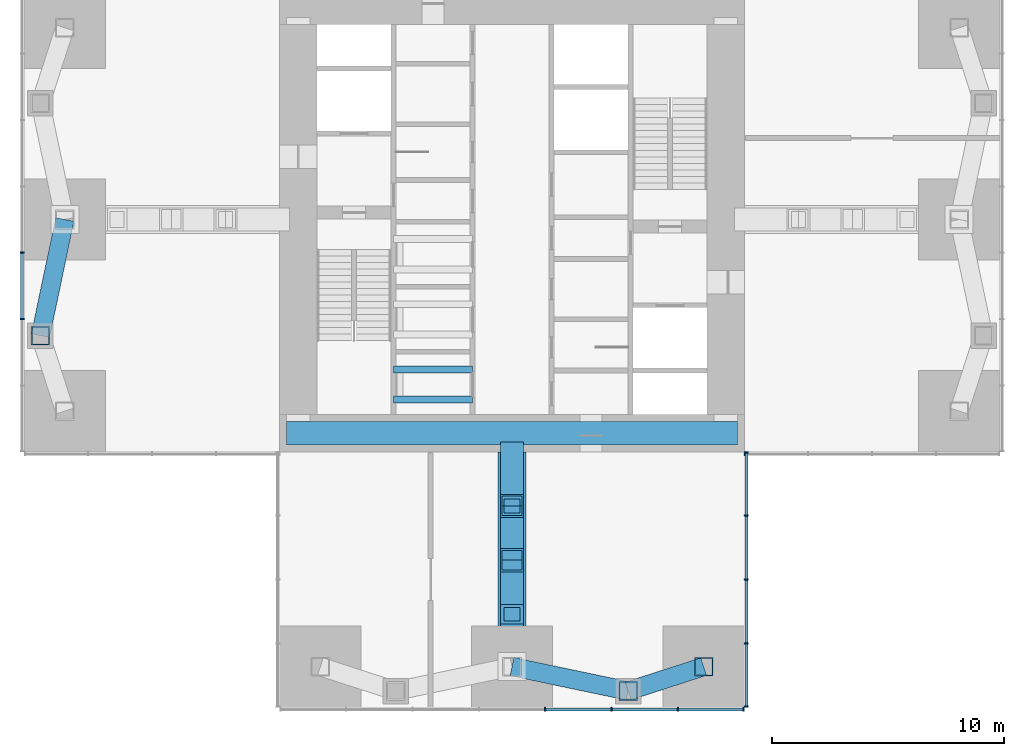
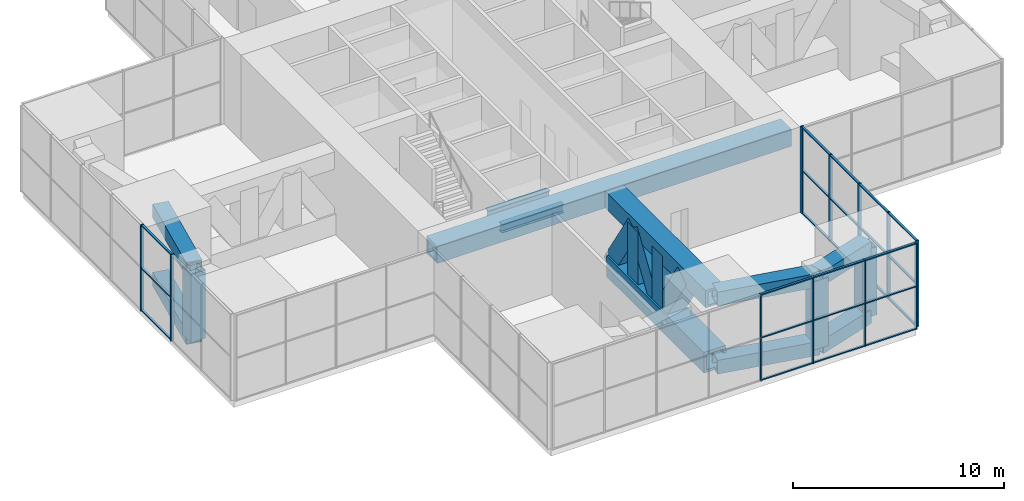
# One storey, part 3 of 12: 53 members, 2 beams, 4 elements without a shape of their own.
"""IFC4 building model written with IfcOpenShell, lengths in metres."""

from ifc_helpers import new_model, si_unit, direction, frame, origin, origin_2d, place, context, subcontext, project, spatial, rectangle, hollow_rectangle, i_section, extrude, material, material_profile, profile_set, type_object, element, aggregate, save


model = new_model("IFC4")

# Units and contexts
model_context = context("Model", 3, precision=1e-05, world=origin(), true_north=direction((0.0, 1.0)))
body_context = subcontext(model_context, "Body", "Model", "MODEL_VIEW")
ifc_project = project(units=[si_unit("LENGTHUNIT", "METRE"), si_unit("AREAUNIT", "SQUARE_METRE"), si_unit("VOLUMEUNIT", "CUBIC_METRE"), si_unit("PLANEANGLEUNIT", "RADIAN"), si_unit("MASSUNIT", "GRAM", prefix="KILO")], contexts=[model_context])

# Site, building, storey
site_placement = place(None, origin())
site = spatial("IfcSite", under=ifc_project, at=site_placement, CompositionType="ELEMENT")
building_placement = place(site_placement, origin())
building = spatial("IfcBuilding", under=site, at=building_placement, Name="Svetlomir Tower", CompositionType="ELEMENT")
storey_placement = place(building_placement, frame((0.0, 0.0, 160.5)))
storey = spatial("IfcBuildingStorey", under=building, at=storey_placement, Name="L38", CompositionType="ELEMENT", Elevation=160.5)

# Members
ifc_material_1 = material(Name="Steel S355", Category="steel")
ifc_material_profile_1 = material_profile(ifc_material_1, hollow_rectangle(XDim=0.800048828125, YDim=0.800048828125, WallThickness=0.050048828125, at=origin_2d()), Name="BOX 800x800x50")
ifc_profile_set_1 = profile_set([ifc_material_profile_1], Name="Steel S355")
member_type_1 = type_object("IfcMemberType", Name="BELT FRAME CHORD BOX 800x800x50", PredefinedType="CHORD", material=ifc_profile_set_1)
for number, where, z_axis, x_axis, name in (
    (1, (21.0, 1.75, 0.39990234375), (0.978651574329, -0.205526387753, 0.0), (0.205526387753, 0.978651574329, 0.0), "Belt frame S L38 bottom chord 3"),
    (2, (21.0, 1.75, 4.35009765625), (0.978651574329, -0.205526387753, 0.0), (0.205526387753, 0.978651574329, 0.0), "Belt frame S L38 top chord 3"),
):
    element("IfcMember", number, at=place(storey_placement, frame(where, z_axis=z_axis, x_axis=x_axis)), inside=storey, type_object=member_type_1, Name=name, PredefinedType="CHORD", context=body_context, shape_type="SweptSolid", body=[
        extrude(hollow_rectangle(XDim=0.800048828125, YDim=0.800048828125, WallThickness=0.050048828125, at=origin_2d()), origin(), (0.0, 0.0, 1.0), 5.109130859375),
    ])
for number, where, z_axis, x_axis, name in (
    (3, (26.0, 0.699951171875, 0.39990234375), (0.951566360503, 0.307443428225, 0.0), (-0.307443428225, 0.951566360503, 0.0), "Belt frame S L38 bottom chord 4"),
    (4, (26.0, 0.699951171875, 4.35009765625), (0.951566360503, 0.307443428225, 0.0), (-0.307443428225, 0.951566360503, 0.0), "Belt frame S L38 top chord 4"),
):
    element("IfcMember", number, at=place(storey_placement, frame(where, z_axis=z_axis, x_axis=x_axis)), inside=storey, type_object=member_type_1, Name=name, PredefinedType="CHORD", context=body_context, shape_type="SweptSolid", body=[
        extrude(hollow_rectangle(XDim=0.800048828125, YDim=0.800048828125, WallThickness=0.050048828125, at=origin_2d()), origin(), (0.0, 0.0, 1.0), 3.41552734375),
    ])
for number, where, z_axis, x_axis, name in (
    (5, (0.699951171875, 16.0, 0.39990234375), (0.205526387753, 0.978651574329, 0.0), (-0.978651574329, 0.205526387753, 0.0), "Belt frame W L38 bottom chord 2"),
    (6, (0.699951171875, 16.0, 4.35009765625), (0.205526387753, 0.978651574329, 0.0), (-0.978651574329, 0.205526387753, 0.0), "Belt frame W L38 top chord 2"),
):
    element("IfcMember", number, at=place(storey_placement, frame(where, z_axis=z_axis, x_axis=x_axis)), inside=storey, type_object=member_type_1, Name=name, PredefinedType="CHORD", context=body_context, shape_type="SweptSolid", body=[
        extrude(hollow_rectangle(XDim=0.800048828125, YDim=0.800048828125, WallThickness=0.050048828125, at=origin_2d()), origin(), (0.0, 0.0, 1.0), 5.109130859375),
    ])
ifc_material_2 = material(Name="Steel S355", Category="steel")
ifc_material_profile_2 = material_profile(ifc_material_2, hollow_rectangle(XDim=0.800048828125, YDim=0.800048828125, WallThickness=0.050048828125, at=origin_2d()), Name="BOX 800x800x50")
ifc_profile_set_2 = profile_set([ifc_material_profile_2], Name="Steel S355")
member_type_2 = type_object("IfcMemberType", Name="BELT FRAME POST BOX 800x800x50", PredefinedType="POST", material=ifc_profile_set_2)
for number, where, z_axis, x_axis, name in (
    (7, (26.0, 0.699951171875, 0.39990234375), (0.0, 0.0, 1.0), (1.0, 0.0, 0.0), "Belt frame S L38 post 4"),
    (8, (29.25, 1.75, 0.39990234375), (0.0, 0.0, 1.0), (1.0, 0.0, 0.0), "Belt frame S L38 post 5"),
    (9, (0.699951171875, 16.0, 0.39990234375), (0.0, 0.0, 1.0), (1.0, 0.0, 0.0), "Belt frame W L38 post 2"),
):
    element("IfcMember", number, at=place(storey_placement, frame(where, z_axis=z_axis, x_axis=x_axis)), inside=storey, type_object=member_type_2, Name=name, PredefinedType="POST", context=body_context, shape_type="SweptSolid", body=[
        extrude(hollow_rectangle(XDim=0.800048828125, YDim=0.800048828125, WallThickness=0.050048828125, at=origin_2d()), origin(), (0.0, 0.0, 1.0), 3.9501953125),
    ])

# Curtain wall, members
ifc_material_3 = material(Name="Bronze anodised aluminium curtain wall", Category="aluminium")
curtain_wall_type = type_object("IfcCurtainWallType", Name="CURTAIN WALL CW3 PLANT LOUVRE", PredefinedType="NOTDEFINED", material=ifc_material_3)
curtain_wall_1_placement = place(storey_placement, origin())
curtain_wall_1 = element("IfcCurtainWall", 10, at=curtain_wall_1_placement, inside=storey, type_object=curtain_wall_type, Name="Curtain wall CW3 L38", PredefinedType="NOTDEFINED")
ifc_material_4 = material(Name="Bronze anodised aluminium", Category="aluminium")
ifc_material_profile_3 = material_profile(ifc_material_4, rectangle(XDim=0.06494140625, YDim=0.179931640625, at=origin_2d()), Name="AL 65x180")
ifc_profile_set_3 = profile_set([ifc_material_profile_3], Name="Bronze anodised aluminium 6063-T6")
member_type_3 = type_object("IfcMemberType", Name="CW3 MULLION 65x180", PredefinedType="MULLION", material=ifc_profile_set_3)
member_1_placement = place(storey_placement, frame((22.428466796875, -0.090087890625, 0.0), z_axis=(0.0, 0.0, 1.0), x_axis=(1.0, 0.0, 0.0)))
member_1 = element("IfcMember", 11, at=member_1_placement, type_object=member_type_3, Name="CW3 mullion 5", PredefinedType="MULLION", context=body_context, shape_type="SweptSolid", body=[
    extrude(rectangle(XDim=0.06494140625, YDim=0.179931640625, at=origin_2d()), origin(), (0.0, 0.0, 1.0), 5.0),
])
member_2_placement = place(storey_placement, frame((25.28564453125, -0.090087890625, 0.0), z_axis=(0.0, 0.0, 1.0), x_axis=(1.0, 0.0, 0.0)))
member_2 = element("IfcMember", 12, at=member_2_placement, type_object=member_type_3, Name="CW3 mullion 6", PredefinedType="MULLION", context=body_context, shape_type="SweptSolid", body=[
    extrude(rectangle(XDim=0.06494140625, YDim=0.179931640625, at=origin_2d()), origin(), (0.0, 0.0, 1.0), 5.0),
])
member_3_placement = place(storey_placement, frame((28.142822265625, -0.090087890625, 0.0), z_axis=(0.0, 0.0, 1.0), x_axis=(1.0, 0.0, 0.0)))
member_3 = element("IfcMember", 13, at=member_3_placement, type_object=member_type_3, Name="CW3 mullion 7", PredefinedType="MULLION", context=body_context, shape_type="SweptSolid", body=[
    extrude(rectangle(XDim=0.06494140625, YDim=0.179931640625, at=origin_2d()), origin(), (0.0, 0.0, 1.0), 5.0),
])
member_4_placement = place(storey_placement, frame((30.967529296875, -0.090087890625, 0.0), z_axis=(0.0, 0.0, 1.0), x_axis=(1.0, 0.0, 0.0)))
member_4 = element("IfcMember", 14, at=member_4_placement, type_object=member_type_3, Name="CW3 mullion 8", PredefinedType="MULLION", context=body_context, shape_type="SweptSolid", body=[
    extrude(rectangle(XDim=0.06494140625, YDim=0.179931640625, at=origin_2d()), origin(), (0.0, 0.0, 1.0), 5.0),
])

curtain_wall_2_placement = place(storey_placement, origin())
curtain_wall_2 = element("IfcCurtainWall", 15, at=curtain_wall_2_placement, inside=storey, type_object=curtain_wall_type, Name="Curtain wall CW3 L38", PredefinedType="NOTDEFINED")
member_5_placement = place(storey_placement, frame((31.090087890625, 0.032470703125, 0.0), z_axis=(0.0, 0.0, 1.0), x_axis=(0.0, 1.0, 0.0)))
member_5 = element("IfcMember", 16, at=member_5_placement, type_object=member_type_3, Name="CW3 mullion 1", PredefinedType="MULLION", context=body_context, shape_type="SweptSolid", body=[
    extrude(rectangle(XDim=0.06494140625, YDim=0.179931640625, at=origin_2d()), origin(), (0.0, 0.0, 1.0), 5.0),
])
member_6_placement = place(storey_placement, frame((31.090087890625, 2.75, 0.0), z_axis=(0.0, 0.0, 1.0), x_axis=(0.0, 1.0, 0.0)))
member_6 = element("IfcMember", 17, at=member_6_placement, type_object=member_type_3, Name="CW3 mullion 2", PredefinedType="MULLION", context=body_context, shape_type="SweptSolid", body=[
    extrude(rectangle(XDim=0.06494140625, YDim=0.179931640625, at=origin_2d()), origin(), (0.0, 0.0, 1.0), 5.0),
])
member_7_placement = place(storey_placement, frame((31.090087890625, 5.5, 0.0), z_axis=(0.0, 0.0, 1.0), x_axis=(0.0, 1.0, 0.0)))
member_7 = element("IfcMember", 18, at=member_7_placement, type_object=member_type_3, Name="CW3 mullion 3", PredefinedType="MULLION", context=body_context, shape_type="SweptSolid", body=[
    extrude(rectangle(XDim=0.06494140625, YDim=0.179931640625, at=origin_2d()), origin(), (0.0, 0.0, 1.0), 5.0),
])
member_8_placement = place(storey_placement, frame((31.090087890625, 8.25, 0.0), z_axis=(0.0, 0.0, 1.0), x_axis=(0.0, 1.0, 0.0)))
member_8 = element("IfcMember", 19, at=member_8_placement, type_object=member_type_3, Name="CW3 mullion 4", PredefinedType="MULLION", context=body_context, shape_type="SweptSolid", body=[
    extrude(rectangle(XDim=0.06494140625, YDim=0.179931640625, at=origin_2d()), origin(), (0.0, 0.0, 1.0), 5.0),
])
member_9_placement = place(storey_placement, frame((31.090087890625, 10.967529296875, 0.0), z_axis=(0.0, 0.0, 1.0), x_axis=(0.0, 1.0, 0.0)))
member_9 = element("IfcMember", 20, at=member_9_placement, type_object=member_type_3, Name="CW3 mullion 5", PredefinedType="MULLION", context=body_context, shape_type="SweptSolid", body=[
    extrude(rectangle(XDim=0.06494140625, YDim=0.179931640625, at=origin_2d()), origin(), (0.0, 0.0, 1.0), 5.0),
])

# Curtain wall, member
curtain_wall_3_placement = place(storey_placement, origin())
curtain_wall_3 = element("IfcCurtainWall", 21, at=curtain_wall_3_placement, inside=storey, type_object=curtain_wall_type, Name="Curtain wall CW3 L38", PredefinedType="NOTDEFINED")
member_10_placement = place(storey_placement, frame((31.032470703125, 10.909912109375, 0.0), z_axis=(0.0, 0.0, 1.0), x_axis=(1.0, 0.0, 0.0)))
member_10 = element("IfcMember", 22, at=member_10_placement, type_object=member_type_3, Name="CW3 mullion 1", PredefinedType="MULLION", context=body_context, shape_type="SweptSolid", body=[
    extrude(rectangle(XDim=0.06494140625, YDim=0.179931640625, at=origin_2d()), origin(), (0.0, 0.0, 1.0), 5.0),
])
aggregate(curtain_wall_3, [member_10])

# Curtain wall, members
curtain_wall_4_placement = place(storey_placement, origin())
curtain_wall_4 = element("IfcCurtainWall", 23, at=curtain_wall_4_placement, inside=storey, type_object=curtain_wall_type, Name="Curtain wall CW3 L38", PredefinedType="NOTDEFINED")
member_11_placement = place(storey_placement, frame((-0.090087890625, 19.571533203125, 0.0), z_axis=(0.0, 0.0, 1.0), x_axis=(0.0, -1.0, 0.0)))
member_11 = element("IfcMember", 24, at=member_11_placement, type_object=member_type_3, Name="CW3 mullion 5", PredefinedType="MULLION", context=body_context, shape_type="SweptSolid", body=[
    extrude(rectangle(XDim=0.06494140625, YDim=0.179931640625, at=origin_2d()), origin(), (0.0, 0.0, 1.0), 5.0),
])
member_12_placement = place(storey_placement, frame((-0.090087890625, 16.71435546875, 0.0), z_axis=(0.0, 0.0, 1.0), x_axis=(0.0, -1.0, 0.0)))
member_12 = element("IfcMember", 25, at=member_12_placement, type_object=member_type_3, Name="CW3 mullion 6", PredefinedType="MULLION", context=body_context, shape_type="SweptSolid", body=[
    extrude(rectangle(XDim=0.06494140625, YDim=0.179931640625, at=origin_2d()), origin(), (0.0, 0.0, 1.0), 5.0),
])

# Member
ifc_material_5 = material(Name="Bronze anodised aluminium", Category="aluminium")
ifc_material_profile_4 = material_profile(ifc_material_5, rectangle(XDim=0.1201171875, YDim=0.06494140625, at=origin_2d()), Name="AL 120x65")
ifc_profile_set_4 = profile_set([ifc_material_profile_4], Name="Bronze anodised aluminium 6063-T6")
member_type_4 = type_object("IfcMemberType", Name="CW3 TRANSOM 65x120", PredefinedType="USERDEFINED", material=ifc_profile_set_4)
member_13_placement = place(storey_placement, frame((22.461181640625, -0.090087890625, 0.032470703125), z_axis=(1.0, 0.0, 0.0), x_axis=(0.0, 1.0, 0.0)))
member_13 = element("IfcMember", 26, at=member_13_placement, type_object=member_type_4, Name="CW3 transom 5.1", ObjectType="TRANSOM", PredefinedType="USERDEFINED", context=body_context, shape_type="SweptSolid", body=[
    extrude(rectangle(XDim=0.1201171875, YDim=0.06494140625, at=origin_2d()), origin(), (0.0, 0.0, 1.0), 2.7919921875),
])

member_14_placement = place(storey_placement, frame((22.461181640625, -0.090087890625, 2.483642578125), z_axis=(1.0, 0.0, 0.0), x_axis=(0.0, 1.0, 0.0)))
member_14 = element("IfcMember", 27, at=member_14_placement, type_object=member_type_4, Name="CW3 transom 5.2", ObjectType="TRANSOM", PredefinedType="USERDEFINED", context=body_context, shape_type="SweptSolid", body=[
    extrude(rectangle(XDim=0.1201171875, YDim=0.06494140625, at=origin_2d()), origin(), (0.0, 0.0, 1.0), 2.7919921875),
])

member_15_placement = place(storey_placement, frame((22.461181640625, -0.090087890625, 4.967529296875), z_axis=(1.0, 0.0, 0.0), x_axis=(0.0, 1.0, 0.0)))
member_15 = element("IfcMember", 28, at=member_15_placement, type_object=member_type_4, Name="CW3 transom 5.3", ObjectType="TRANSOM", PredefinedType="USERDEFINED", context=body_context, shape_type="SweptSolid", body=[
    extrude(rectangle(XDim=0.1201171875, YDim=0.06494140625, at=origin_2d()), origin(), (0.0, 0.0, 1.0), 2.7919921875),
])

member_16_placement = place(storey_placement, frame((25.318115234375, -0.090087890625, 0.032470703125), z_axis=(1.0, 0.0, 0.0), x_axis=(0.0, 1.0, 0.0)))
member_16 = element("IfcMember", 29, at=member_16_placement, type_object=member_type_4, Name="CW3 transom 6.1", ObjectType="TRANSOM", PredefinedType="USERDEFINED", context=body_context, shape_type="SweptSolid", body=[
    extrude(rectangle(XDim=0.1201171875, YDim=0.06494140625, at=origin_2d()), origin(), (0.0, 0.0, 1.0), 2.792236328125),
])

member_17_placement = place(storey_placement, frame((25.318115234375, -0.090087890625, 2.483642578125), z_axis=(1.0, 0.0, 0.0), x_axis=(0.0, 1.0, 0.0)))
member_17 = element("IfcMember", 30, at=member_17_placement, type_object=member_type_4, Name="CW3 transom 6.2", ObjectType="TRANSOM", PredefinedType="USERDEFINED", context=body_context, shape_type="SweptSolid", body=[
    extrude(rectangle(XDim=0.1201171875, YDim=0.06494140625, at=origin_2d()), origin(), (0.0, 0.0, 1.0), 2.792236328125),
])

member_18_placement = place(storey_placement, frame((25.318115234375, -0.090087890625, 4.967529296875), z_axis=(1.0, 0.0, 0.0), x_axis=(0.0, 1.0, 0.0)))
member_18 = element("IfcMember", 31, at=member_18_placement, type_object=member_type_4, Name="CW3 transom 6.3", ObjectType="TRANSOM", PredefinedType="USERDEFINED", context=body_context, shape_type="SweptSolid", body=[
    extrude(rectangle(XDim=0.1201171875, YDim=0.06494140625, at=origin_2d()), origin(), (0.0, 0.0, 1.0), 2.792236328125),
])

member_19_placement = place(storey_placement, frame((28.17529296875, -0.090087890625, 0.032470703125), z_axis=(1.0, 0.0, 0.0), x_axis=(0.0, 1.0, 0.0)))
member_19 = element("IfcMember", 32, at=member_19_placement, type_object=member_type_4, Name="CW3 transom 7.1", ObjectType="TRANSOM", PredefinedType="USERDEFINED", context=body_context, shape_type="SweptSolid", body=[
    extrude(rectangle(XDim=0.1201171875, YDim=0.06494140625, at=origin_2d()), origin(), (0.0, 0.0, 1.0), 2.759765625),
])

member_20_placement = place(storey_placement, frame((28.17529296875, -0.090087890625, 2.483642578125), z_axis=(1.0, 0.0, 0.0), x_axis=(0.0, 1.0, 0.0)))
member_20 = element("IfcMember", 33, at=member_20_placement, type_object=member_type_4, Name="CW3 transom 7.2", ObjectType="TRANSOM", PredefinedType="USERDEFINED", context=body_context, shape_type="SweptSolid", body=[
    extrude(rectangle(XDim=0.1201171875, YDim=0.06494140625, at=origin_2d()), origin(), (0.0, 0.0, 1.0), 2.759765625),
])

member_21_placement = place(storey_placement, frame((28.17529296875, -0.090087890625, 4.967529296875), z_axis=(1.0, 0.0, 0.0), x_axis=(0.0, 1.0, 0.0)))
member_21 = element("IfcMember", 34, at=member_21_placement, type_object=member_type_4, Name="CW3 transom 7.3", ObjectType="TRANSOM", PredefinedType="USERDEFINED", context=body_context, shape_type="SweptSolid", body=[
    extrude(rectangle(XDim=0.1201171875, YDim=0.06494140625, at=origin_2d()), origin(), (0.0, 0.0, 1.0), 2.759765625),
])

aggregate(curtain_wall_1, [member_1, member_2, member_3, member_4, member_13, member_14, member_15, member_16, member_17, member_18, member_19, member_20, member_21])

member_22_placement = place(storey_placement, frame((31.090087890625, 0.06494140625, 0.032470703125), z_axis=(0.0, 1.0, 0.0), x_axis=(-1.0, 0.0, 0.0)))
member_22 = element("IfcMember", 35, at=member_22_placement, type_object=member_type_4, Name="CW3 transom 1.1", ObjectType="TRANSOM", PredefinedType="USERDEFINED", context=body_context, shape_type="SweptSolid", body=[
    extrude(rectangle(XDim=0.1201171875, YDim=0.06494140625, at=origin_2d()), origin(), (0.0, 0.0, 1.0), 2.652587890625),
])

member_23_placement = place(storey_placement, frame((31.090087890625, 0.06494140625, 2.483642578125), z_axis=(0.0, 1.0, 0.0), x_axis=(-1.0, 0.0, 0.0)))
member_23 = element("IfcMember", 36, at=member_23_placement, type_object=member_type_4, Name="CW3 transom 1.2", ObjectType="TRANSOM", PredefinedType="USERDEFINED", context=body_context, shape_type="SweptSolid", body=[
    extrude(rectangle(XDim=0.1201171875, YDim=0.06494140625, at=origin_2d()), origin(), (0.0, 0.0, 1.0), 2.652587890625),
])

member_24_placement = place(storey_placement, frame((31.090087890625, 0.06494140625, 4.967529296875), z_axis=(0.0, 1.0, 0.0), x_axis=(-1.0, 0.0, 0.0)))
member_24 = element("IfcMember", 37, at=member_24_placement, type_object=member_type_4, Name="CW3 transom 1.3", ObjectType="TRANSOM", PredefinedType="USERDEFINED", context=body_context, shape_type="SweptSolid", body=[
    extrude(rectangle(XDim=0.1201171875, YDim=0.06494140625, at=origin_2d()), origin(), (0.0, 0.0, 1.0), 2.652587890625),
])

member_25_placement = place(storey_placement, frame((31.090087890625, 2.782470703125, 0.032470703125), z_axis=(0.0, 1.0, 0.0), x_axis=(-1.0, 0.0, 0.0)))
member_25 = element("IfcMember", 38, at=member_25_placement, type_object=member_type_4, Name="CW3 transom 2.1", ObjectType="TRANSOM", PredefinedType="USERDEFINED", context=body_context, shape_type="SweptSolid", body=[
    extrude(rectangle(XDim=0.1201171875, YDim=0.06494140625, at=origin_2d()), origin(), (0.0, 0.0, 1.0), 2.68505859375),
])

member_26_placement = place(storey_placement, frame((31.090087890625, 2.782470703125, 2.483642578125), z_axis=(0.0, 1.0, 0.0), x_axis=(-1.0, 0.0, 0.0)))
member_26 = element("IfcMember", 39, at=member_26_placement, type_object=member_type_4, Name="CW3 transom 2.2", ObjectType="TRANSOM", PredefinedType="USERDEFINED", context=body_context, shape_type="SweptSolid", body=[
    extrude(rectangle(XDim=0.1201171875, YDim=0.06494140625, at=origin_2d()), origin(), (0.0, 0.0, 1.0), 2.68505859375),
])

member_27_placement = place(storey_placement, frame((31.090087890625, 2.782470703125, 4.967529296875), z_axis=(0.0, 1.0, 0.0), x_axis=(-1.0, 0.0, 0.0)))
member_27 = element("IfcMember", 40, at=member_27_placement, type_object=member_type_4, Name="CW3 transom 2.3", ObjectType="TRANSOM", PredefinedType="USERDEFINED", context=body_context, shape_type="SweptSolid", body=[
    extrude(rectangle(XDim=0.1201171875, YDim=0.06494140625, at=origin_2d()), origin(), (0.0, 0.0, 1.0), 2.68505859375),
])

member_28_placement = place(storey_placement, frame((31.090087890625, 5.532470703125, 0.032470703125), z_axis=(0.0, 1.0, 0.0), x_axis=(-1.0, 0.0, 0.0)))
member_28 = element("IfcMember", 41, at=member_28_placement, type_object=member_type_4, Name="CW3 transom 3.1", ObjectType="TRANSOM", PredefinedType="USERDEFINED", context=body_context, shape_type="SweptSolid", body=[
    extrude(rectangle(XDim=0.1201171875, YDim=0.06494140625, at=origin_2d()), origin(), (0.0, 0.0, 1.0), 2.68505859375),
])

member_29_placement = place(storey_placement, frame((31.090087890625, 5.532470703125, 2.483642578125), z_axis=(0.0, 1.0, 0.0), x_axis=(-1.0, 0.0, 0.0)))
member_29 = element("IfcMember", 42, at=member_29_placement, type_object=member_type_4, Name="CW3 transom 3.2", ObjectType="TRANSOM", PredefinedType="USERDEFINED", context=body_context, shape_type="SweptSolid", body=[
    extrude(rectangle(XDim=0.1201171875, YDim=0.06494140625, at=origin_2d()), origin(), (0.0, 0.0, 1.0), 2.68505859375),
])

member_30_placement = place(storey_placement, frame((31.090087890625, 5.532470703125, 4.967529296875), z_axis=(0.0, 1.0, 0.0), x_axis=(-1.0, 0.0, 0.0)))
member_30 = element("IfcMember", 43, at=member_30_placement, type_object=member_type_4, Name="CW3 transom 3.3", ObjectType="TRANSOM", PredefinedType="USERDEFINED", context=body_context, shape_type="SweptSolid", body=[
    extrude(rectangle(XDim=0.1201171875, YDim=0.06494140625, at=origin_2d()), origin(), (0.0, 0.0, 1.0), 2.68505859375),
])

member_31_placement = place(storey_placement, frame((31.090087890625, 8.282470703125, 0.032470703125), z_axis=(0.0, 1.0, 0.0), x_axis=(-1.0, 0.0, 0.0)))
member_31 = element("IfcMember", 44, at=member_31_placement, type_object=member_type_4, Name="CW3 transom 4.1", ObjectType="TRANSOM", PredefinedType="USERDEFINED", context=body_context, shape_type="SweptSolid", body=[
    extrude(rectangle(XDim=0.1201171875, YDim=0.06494140625, at=origin_2d()), origin(), (0.0, 0.0, 1.0), 2.652587890625),
])

member_32_placement = place(storey_placement, frame((31.090087890625, 8.282470703125, 2.483642578125), z_axis=(0.0, 1.0, 0.0), x_axis=(-1.0, 0.0, 0.0)))
member_32 = element("IfcMember", 45, at=member_32_placement, type_object=member_type_4, Name="CW3 transom 4.2", ObjectType="TRANSOM", PredefinedType="USERDEFINED", context=body_context, shape_type="SweptSolid", body=[
    extrude(rectangle(XDim=0.1201171875, YDim=0.06494140625, at=origin_2d()), origin(), (0.0, 0.0, 1.0), 2.652587890625),
])

member_33_placement = place(storey_placement, frame((31.090087890625, 8.282470703125, 4.967529296875), z_axis=(0.0, 1.0, 0.0), x_axis=(-1.0, 0.0, 0.0)))
member_33 = element("IfcMember", 46, at=member_33_placement, type_object=member_type_4, Name="CW3 transom 4.3", ObjectType="TRANSOM", PredefinedType="USERDEFINED", context=body_context, shape_type="SweptSolid", body=[
    extrude(rectangle(XDim=0.1201171875, YDim=0.06494140625, at=origin_2d()), origin(), (0.0, 0.0, 1.0), 2.652587890625),
])

aggregate(curtain_wall_2, [member_5, member_6, member_7, member_8, member_9, member_22, member_23, member_24, member_25, member_26, member_27, member_28, member_29, member_30, member_31, member_32, member_33])

member_34_placement = place(storey_placement, frame((-0.090087890625, 19.538818359375, 0.032470703125), z_axis=(0.0, -1.0, 0.0), x_axis=(1.0, 0.0, 0.0)))
member_34 = element("IfcMember", 47, at=member_34_placement, type_object=member_type_4, Name="CW3 transom 5.1", ObjectType="TRANSOM", PredefinedType="USERDEFINED", context=body_context, shape_type="SweptSolid", body=[
    extrude(rectangle(XDim=0.1201171875, YDim=0.06494140625, at=origin_2d()), origin(), (0.0, 0.0, 1.0), 2.7919921875),
])

member_35_placement = place(storey_placement, frame((-0.090087890625, 19.538818359375, 2.483642578125), z_axis=(0.0, -1.0, 0.0), x_axis=(1.0, 0.0, 0.0)))
member_35 = element("IfcMember", 48, at=member_35_placement, type_object=member_type_4, Name="CW3 transom 5.2", ObjectType="TRANSOM", PredefinedType="USERDEFINED", context=body_context, shape_type="SweptSolid", body=[
    extrude(rectangle(XDim=0.1201171875, YDim=0.06494140625, at=origin_2d()), origin(), (0.0, 0.0, 1.0), 2.7919921875),
])

member_36_placement = place(storey_placement, frame((-0.090087890625, 19.538818359375, 4.967529296875), z_axis=(0.0, -1.0, 0.0), x_axis=(1.0, 0.0, 0.0)))
member_36 = element("IfcMember", 49, at=member_36_placement, type_object=member_type_4, Name="CW3 transom 5.3", ObjectType="TRANSOM", PredefinedType="USERDEFINED", context=body_context, shape_type="SweptSolid", body=[
    extrude(rectangle(XDim=0.1201171875, YDim=0.06494140625, at=origin_2d()), origin(), (0.0, 0.0, 1.0), 2.7919921875),
])

aggregate(curtain_wall_4, [member_11, member_12, member_34, member_35, member_36])

# Beams
ifc_material_6 = material(Name="Steel S355", Category="steel")
ifc_material_profile_5 = material_profile(ifc_material_6, i_section(OverallWidth=0.300048828125, OverallDepth=0.5, WebThickness=0.014404296875, FlangeThickness=0.028076171875, FilletRadius=0.027099609375, at=origin_2d()), Name="HEB 500")
ifc_profile_set_5 = profile_set([ifc_material_profile_5], Name="Steel S355")
beam_type = type_object("IfcBeamType", Name="LIFT PIT BEAM HEB 500", PredefinedType="BEAM", material=ifc_profile_set_5)
for number, where, z_axis, x_axis, name in (
    (50, (15.89990234375, 13.25, 3.050048828125), (1.0, 0.0, 0.0), (0.0, 1.0, 0.0), "Lift pit beam BANK-W1 1 under L39"),
    (51, (15.89990234375, 14.550048828125, 3.050048828125), (1.0, 0.0, 0.0), (0.0, 1.0, 0.0), "Lift pit beam BANK-W1 2 under L39"),
):
    element("IfcBeam", number, at=place(storey_placement, frame(where, z_axis=z_axis, x_axis=x_axis)), inside=storey, type_object=beam_type, Name=name, PredefinedType="BEAM", context=body_context, shape_type="SweptSolid", body=[
        extrude(i_section(OverallWidth=0.300048828125, OverallDepth=0.5, WebThickness=0.014404296875, FlangeThickness=0.028076171875, FilletRadius=0.027099609375, at=origin_2d()), origin(), (0.0, 0.0, 1.0), 3.400146484375),
    ])

# Members
ifc_material_7 = material(Name="Steel S355", Category="steel")
ifc_material_profile_6 = material_profile(ifc_material_7, hollow_rectangle(XDim=1.0, YDim=1.0, WallThickness=0.1201171875, at=origin_2d()), Name="BOX 1000x1000x120")
ifc_profile_set_6 = profile_set([ifc_material_profile_6], Name="Steel S355")
member_type_5 = type_object("IfcMemberType", Name="OUTRIGGER CHORD BOX 1000x1000x120", PredefinedType="CHORD", material=ifc_profile_set_6)
member_37_placement = place(storey_placement, frame((21.0, 11.300048828125, 4.25), z_axis=(0.0, -1.0, 0.0), x_axis=(1.0, 0.0, 0.0)))
element("IfcMember", 52, at=member_37_placement, inside=storey, type_object=member_type_5, Name="Outrigger S L38 top chord", PredefinedType="CHORD", context=body_context, shape_type="SweptSolid", body=[
    extrude(hollow_rectangle(XDim=1.0, YDim=1.0, WallThickness=0.1201171875, at=origin_2d()), origin(), (0.0, 0.0, 1.0), 9.550048828125),
])
ifc_material_8 = material(Name="Steel S355", Category="steel")
ifc_material_profile_7 = material_profile(ifc_material_8, hollow_rectangle(XDim=1.199951171875, YDim=1.199951171875, WallThickness=0.14990234375, at=origin_2d()), Name="BOX 1200x1200x150")
ifc_profile_set_7 = profile_set([ifc_material_profile_7], Name="Steel S355")
member_type_6 = type_object("IfcMemberType", Name="OUTRIGGER CHORD BOX 1200x1200x150", PredefinedType="CHORD", material=ifc_profile_set_7)
member_38_placement = place(storey_placement, frame((21.0, 11.0, 0.60009765625), z_axis=(0.0, -1.0, 0.0), x_axis=(1.0, 0.0, 0.0)))
element("IfcMember", 53, at=member_38_placement, inside=storey, type_object=member_type_6, Name="Outrigger S L38 bottom chord", PredefinedType="CHORD", context=body_context, shape_type="SweptSolid", body=[
    extrude(hollow_rectangle(XDim=1.199951171875, YDim=1.199951171875, WallThickness=0.14990234375, at=origin_2d()), origin(), (0.0, 0.0, 1.0), 9.25),
])
ifc_material_9 = material(Name="Steel S355", Category="steel")
ifc_material_profile_8 = material_profile(ifc_material_9, hollow_rectangle(XDim=1.0, YDim=1.0, WallThickness=0.1201171875, at=origin_2d()), Name="BOX 1000x1000x120")
ifc_profile_set_8 = profile_set([ifc_material_profile_8], Name="Steel S355")
member_type_7 = type_object("IfcMemberType", Name="OUTRIGGER CHORD, EMBEDDED BOX 1000x1000x120", PredefinedType="CHORD", material=ifc_profile_set_8)
member_39_placement = place(storey_placement, frame((11.300048828125, 11.800048828125, 4.25), z_axis=(1.0, 0.0, 0.0), x_axis=(0.0, 1.0, 0.0)))
element("IfcMember", 54, at=member_39_placement, inside=storey, type_object=member_type_7, Name="Embedded outrigger chord S core wall L38 top", PredefinedType="CHORD", context=body_context, shape_type="SweptSolid", body=[
    extrude(hollow_rectangle(XDim=1.0, YDim=1.0, WallThickness=0.1201171875, at=origin_2d()), origin(), (0.0, 0.0, 1.0), 19.39990234375),
])
ifc_material_10 = material(Name="Steel S355", Category="steel")
ifc_material_profile_9 = material_profile(ifc_material_10, hollow_rectangle(XDim=1.0, YDim=1.0, WallThickness=0.14990234375, at=origin_2d()), Name="BOX 1000x1000x150")
ifc_profile_set_9 = profile_set([ifc_material_profile_9], Name="Steel S355")
member_type_8 = type_object("IfcMemberType", Name="OUTRIGGER DIAGONAL BOX 1000x1000x150", PredefinedType="BRACE", material=ifc_profile_set_9)
for number, where, z_axis, x_axis, name in (
    (55, (21.0, 11.0, 0.60009765625), (0.0, -0.538613825489, 0.842552756207), (1.0, 0.0, 0.0), "Outrigger S L38 diagonal 1"),
    (56, (21.0, 8.666748046875, 4.25), (0.0, -0.53865383197, -0.842527180158), (1.0, 0.0, 0.0), "Outrigger S L38 diagonal 2"),
    (57, (21.0, 6.333251953125, 0.60009765625), (0.0, -0.538613825489, 0.842552756207), (1.0, 0.0, 0.0), "Outrigger S L38 diagonal 3"),
):
    element("IfcMember", number, at=place(storey_placement, frame(where, z_axis=z_axis, x_axis=x_axis)), inside=storey, type_object=member_type_8, Name=name, PredefinedType="BRACE", context=body_context, shape_type="SweptSolid", body=[
        extrude(hollow_rectangle(XDim=1.0, YDim=1.0, WallThickness=0.14990234375, at=origin_2d()), origin(), (0.0, 0.0, 1.0), 4.33203125),
    ])
ifc_material_11 = material(Name="Steel S355", Category="steel")
ifc_material_profile_10 = material_profile(ifc_material_11, hollow_rectangle(XDim=1.0, YDim=1.0, WallThickness=0.080078125, at=origin_2d()), Name="BOX 1000x1000x80")
ifc_profile_set_10 = profile_set([ifc_material_profile_10], Name="Steel S355")
member_type_9 = type_object("IfcMemberType", Name="OUTRIGGER POST BOX 1000x1000x80", PredefinedType="POST", material=ifc_profile_set_10)
for number, where, z_axis, x_axis, name in (
    (58, (21.0, 8.666748046875, 0.60009765625), (0.0, 0.0, 1.0), (1.0, 0.0, 0.0), "Outrigger S L38 post 1"),
    (59, (21.0, 6.333251953125, 0.60009765625), (0.0, 0.0, 1.0), (1.0, 0.0, 0.0), "Outrigger S L38 post 2"),
):
    element("IfcMember", number, at=place(storey_placement, frame(where, z_axis=z_axis, x_axis=x_axis)), inside=storey, type_object=member_type_9, Name=name, PredefinedType="POST", context=body_context, shape_type="SweptSolid", body=[
        extrude(hollow_rectangle(XDim=1.0, YDim=1.0, WallThickness=0.080078125, at=origin_2d()), origin(), (0.0, 0.0, 1.0), 3.64990234375),
    ])

save(model, "model.ifc")
